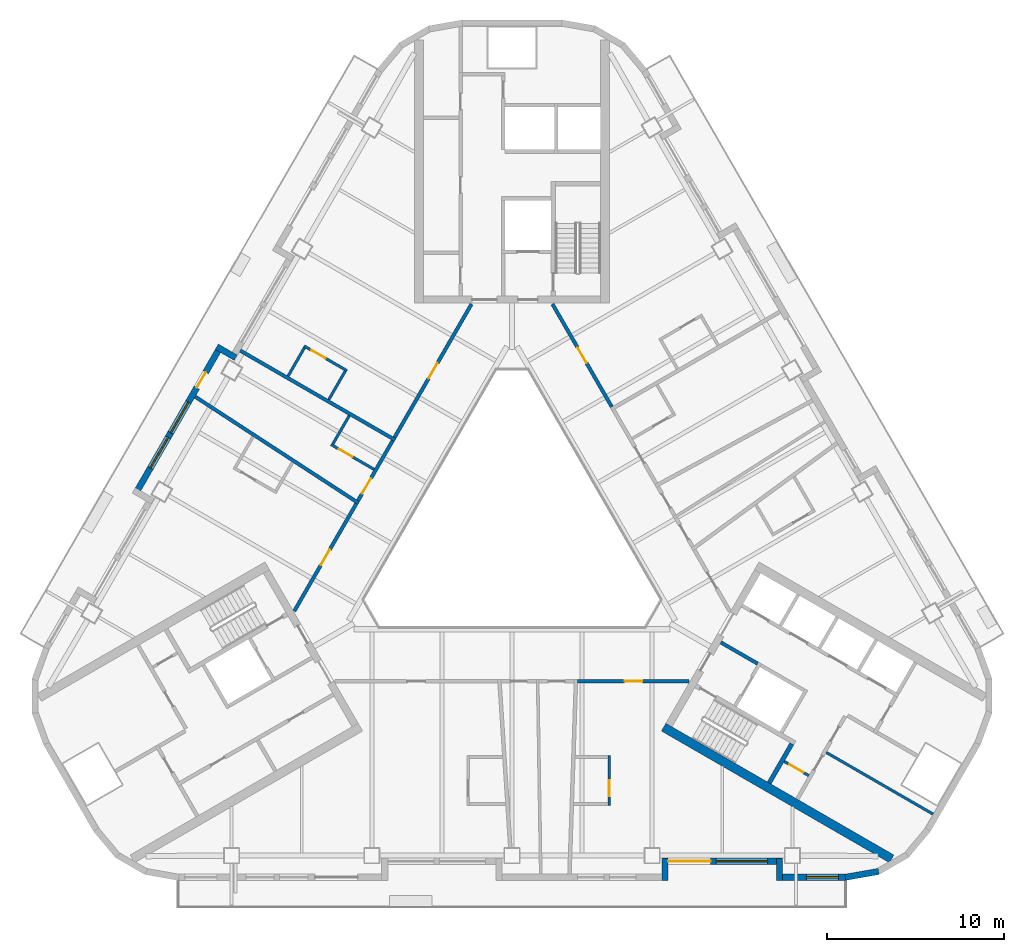
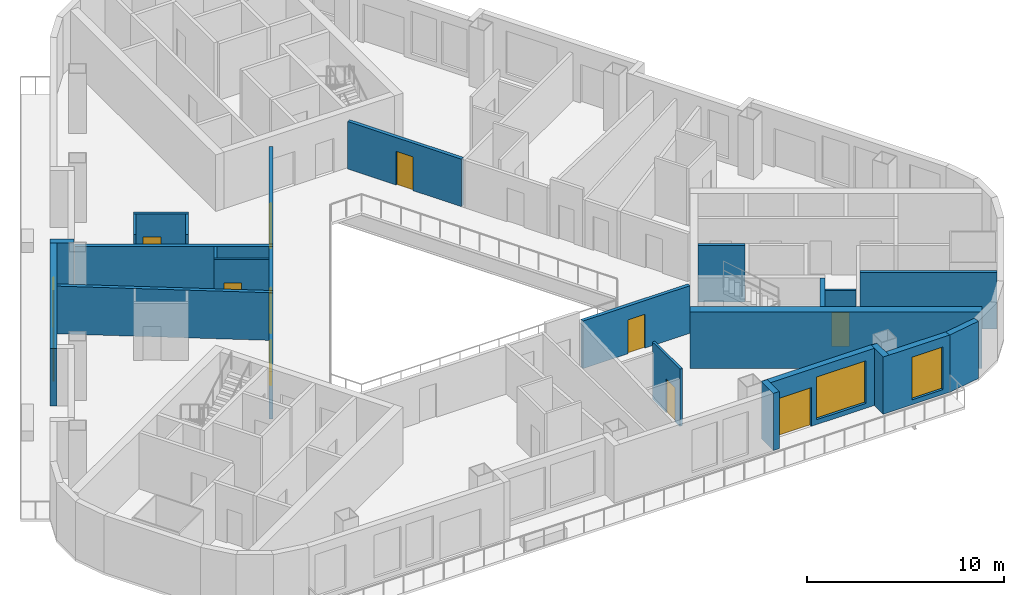
# One storey, part 4 of 14: 25 walls, 11 doors, 4 windows, 15 openings.
"""IFC4 building model written with IfcOpenShell, lengths in metres."""

from ifc_helpers import new_model, si_unit, direction, frame, frame_2d, origin, place, context, subcontext, project, spatial, rectangle, extrude, material, layer, layer_set, type_object, element, fill, save


model = new_model("IFC4")

# Units and contexts
model_context = context("Model", 3, precision=1e-05, world=origin(), true_north=direction((0.0, 1.0)))
body_context = subcontext(model_context, "Body", "Model", "MODEL_VIEW")
ifc_project = project(units=[si_unit("LENGTHUNIT", "METRE"), si_unit("AREAUNIT", "SQUARE_METRE"), si_unit("VOLUMEUNIT", "CUBIC_METRE"), si_unit("PLANEANGLEUNIT", "RADIAN"), si_unit("MASSUNIT", "GRAM", prefix="KILO")], contexts=[model_context])

# Site, building, storey
site_placement = place(None, origin())
site = spatial("IfcSite", under=ifc_project, at=site_placement, CompositionType="ELEMENT")
building_placement = place(site_placement, origin())
building = spatial("IfcBuilding", under=site, at=building_placement, Name="Apuvela Tower Hotel", CompositionType="ELEMENT")
storey_placement = place(building_placement, frame((0.0, 0.0, 109.39990234375)))
storey = spatial("IfcBuildingStorey", under=building, at=storey_placement, Name="L25", CompositionType="ELEMENT", Elevation=109.39990234375)

# Wall
ifc_material_1 = material(Name="Concrete C50/60", Category="concrete")
ifc_layer_1 = layer(ifc_material_1, 0.5)
ifc_layer_set_1 = layer_set([ifc_layer_1], Name="COR-WALL-CORE-500")
wall_type_1 = type_object("IfcWallType", Name="COR-WALL-CORE-500", PredefinedType="SHEAR", material=ifc_layer_set_1)
wall_1_placement = place(storey_placement, frame((8.546630859375, -10.99658203125, 0.0), z_axis=(0.0, 0.0, 1.0), x_axis=(0.866025009528, -0.500000682871, 0.0)))
element("IfcWall", 1, at=wall_1_placement, inside=storey, type_object=wall_type_1, Name="Core wall SE", PredefinedType="SHEAR", context=body_context, shape_type="SweptSolid", body=[
    extrude(rectangle(XDim=14.8369140625, YDim=0.5, at=frame_2d((7.41845703125, 0.0))), origin(), (0.0, 0.0, 1.0), 3.5),
])

# Wall, opening, door
ifc_material_2 = material(Name="Blockwork 150 mm plastered", Category="masonry")
ifc_layer_2 = layer(ifc_material_2, 0.14990234375)
ifc_layer_set_2 = layer_set([ifc_layer_2], Name="COR-WALL-PART-150")
wall_type_2 = type_object("IfcWallType", Name="COR-WALL-PART-150", PredefinedType="PARTITIONING", material=ifc_layer_set_2)
wall_2_placement = place(storey_placement, frame((15.341552734375, -12.927734375, 0.0), z_axis=(0.0, 0.0, 1.0), x_axis=(0.865989903783, -0.500061482766, 0.0)))
wall_2 = element("IfcWall", 2, at=wall_2_placement, inside=storey, type_object=wall_type_2, Name="Partition SE", PredefinedType="PARTITIONING", context=body_context, shape_type="SweptSolid", body=[
    extrude(rectangle(XDim=1.599853515625, YDim=0.14990234375, at=frame_2d((0.7998046875, 0.0))), origin(), (0.0, 0.0, 1.0), 3.5),
])
opening_1_placement = place(wall_2_placement, frame((0.35009765625, 0.0, 0.0)))
opening_1 = element("IfcOpeningElement", 3, at=opening_1_placement, cuts=wall_2, Name="Opening E-RD", PredefinedType="OPENING", context=body_context, shape_type="SweptSolid", body=[
    extrude(rectangle(XDim=0.89990234375, YDim=2.10009765625, at=frame_2d((0.449951171875, 1.050048828125))), frame((0.0, 0.0849609375, 0.0), z_axis=(0.0, -1.0, 0.0), x_axis=(1.0, 0.0, 0.0)), (0.0, 0.0, 1.0), 0.169921875),
])
ifc_material_3 = material(Name="Steel access door, powder coated", Category="steel")
door_type_1 = type_object("IfcDoorType", Name="COR-RD-900", OperationType="NOTDEFINED", PredefinedType="DOOR", material=ifc_material_3)
door_1_placement = place(opening_1_placement, frame((0.89990234375, 0.0, 0.0), z_axis=(0.0, 0.0, 1.0), x_axis=(-1.0, 0.0, 0.0)))
door_1 = element("IfcDoor", 4, at=door_1_placement, inside=storey, type_object=door_type_1, Name="Riser door E-RD", OperationType="SINGLE_SWING_LEFT", OverallHeight=2.10009765625, OverallWidth=0.89990234375, PredefinedType="DOOR", context=body_context, shape_type="SweptSolid", body=[
    extrude(rectangle(XDim=0.89990234375, YDim=2.10009765625, at=frame_2d((0.449951171875, 1.050048828125))), frame((0.0, 0.02490234375, 0.0), z_axis=(0.0, -1.0, 0.0), x_axis=(1.0, 0.0, 0.0)), (0.0, 0.0, 1.0), 0.050048828125),
])
fill(opening_1, door_1)

# Walls
wall_3_placement = place(storey_placement, frame((17.712890625, -12.42041015625, 0.0), z_axis=(0.0, 0.0, 1.0), x_axis=(0.866016523273, -0.500015381182, 0.0)))
element("IfcWall", 5, at=wall_3_placement, inside=storey, type_object=wall_type_2, Name="Partition SE", PredefinedType="PARTITIONING", context=body_context, shape_type="SweptSolid", body=[
    extrude(rectangle(XDim=6.949951171875, YDim=0.14990234375, at=frame_2d((3.47509765625, 0.0))), origin(), (0.0, 0.0, 1.0), 3.5),
])
ifc_layer_3 = layer(ifc_material_1, 0.199951171875)
ifc_layer_set_3 = layer_set([ifc_layer_3], Name="COR-WALL-SHAFT-200")
wall_type_3 = type_object("IfcWallType", Name="COR-WALL-SHAFT-200", PredefinedType="SHEAR", material=ifc_layer_set_3)
wall_4_placement = place(storey_placement, frame((11.76806640625, -6.217041015625, 0.0), z_axis=(0.0, 0.0, 1.0), x_axis=(0.866050077142, -0.499957262057, 0.0)))
element("IfcWall", 6, at=wall_4_placement, inside=storey, type_object=wall_type_3, Name="Shaft wall SE", PredefinedType="SHEAR", context=body_context, shape_type="SweptSolid", body=[
    extrude(rectangle(XDim=2.400146484375, YDim=0.199951171875, at=frame_2d((1.2001953125, 0.0))), origin(), (0.0, 0.0, 1.0), 3.5),
])
ifc_layer_4 = layer(ifc_material_1, 0.25)
ifc_layer_set_4 = layer_set([ifc_layer_4], Name="COR-WALL-STAIR-250")
wall_type_4 = type_object("IfcWallType", Name="COR-WALL-STAIR-250", PredefinedType="SHEAR", material=ifc_layer_set_4)
wall_5_placement = place(storey_placement, frame((14.49560546875, -14.142578125, 0.0), z_axis=(0.0, 0.0, 1.0), x_axis=(0.500062241894, 0.865989465428, 0.0)))
element("IfcWall", 7, at=wall_5_placement, inside=storey, type_object=wall_type_4, Name="Stair wall SE", PredefinedType="SHEAR", context=body_context, shape_type="SweptSolid", body=[
    extrude(rectangle(XDim=2.550048828125, YDim=0.25, at=frame_2d((1.27490234375, 0.0))), origin(), (0.0, 0.0, 1.0), 3.5),
])
ifc_material_4 = material(Name="Concrete C40/50, dark pigmented precast panel", Category="concrete")
ifc_layer_5 = layer(ifc_material_4, 0.35009765625)
ifc_layer_set_5 = layer_set([ifc_layer_5], Name="ENV-WALL-350")
wall_type_5 = type_object("IfcWallType", Name="ENV-WALL-350", PredefinedType="SOLIDWALL", material=ifc_layer_set_5)
wall_6_placement = place(storey_placement, frame((-15.580810546875, 9.8330078125, 0.0), z_axis=(0.0, 0.0, 1.0), x_axis=(-0.866055662726, 0.499947586314, 0.0)))
element("IfcWall", 8, at=wall_6_placement, inside=storey, type_object=wall_type_5, Name="External wall L25-04", PredefinedType="SOLIDWALL", context=body_context, shape_type="SweptSolid", body=[
    extrude(rectangle(XDim=1.220458984375, YDim=0.35009765625, at=frame_2d((0.6103515625, 0.0))), origin(), (0.0, 0.0, 1.0), 3.550048828125),
])

# Wall, openings, door, windows
wall_7_placement = place(storey_placement, frame((-16.3984375, 10.507080078125, 0.0), z_axis=(0.0, 0.0, 1.0), x_axis=(-0.499999142773, -0.866025898704, 0.0)))
wall_7 = element("IfcWall", 9, at=wall_7_placement, inside=storey, type_object=wall_type_5, Name="External wall L25-05", PredefinedType="SOLIDWALL", context=body_context, shape_type="SweptSolid", body=[
    extrude(rectangle(XDim=9.7001953125, YDim=0.35009765625, at=frame_2d((4.85009765625, 0.0))), origin(), (0.0, 0.0, 1.0), 3.550048828125),
])
opening_2_placement = place(wall_7_placement, frame((1.7353515625, 0.0, 0.0)))
opening_2 = element("IfcOpeningElement", 10, at=opening_2_placement, cuts=wall_7, Name="Opening BD10", PredefinedType="OPENING", context=body_context, shape_type="SweptSolid", body=[
    extrude(rectangle(XDim=1.0, YDim=2.39990234375, at=frame_2d((0.5, 1.199951171875))), frame((0.0, 0.18505859375, 0.0), z_axis=(0.0, -1.0, 0.0), x_axis=(1.0, 0.0, 0.0)), (0.0, 0.0, 1.0), 0.3701171875),
])
opening_3_placement = place(wall_7_placement, frame((3.67041015625, 0.0, 0.300048828125)))
opening_3 = element("IfcOpeningElement", 11, at=opening_3_placement, cuts=wall_7, Name="Opening WN20", PredefinedType="OPENING", context=body_context, shape_type="SweptSolid", body=[
    extrude(rectangle(XDim=2.0, YDim=2.64990234375, at=frame_2d((1.0, 1.324951171875))), frame((0.0, 0.18505859375, 0.0), z_axis=(0.0, -1.0, 0.0), x_axis=(1.0, 0.0, 0.0)), (0.0, 0.0, 1.0), 0.3701171875),
])
opening_4_placement = place(wall_7_placement, frame((5.970458984375, 0.0, 0.300048828125)))
opening_4 = element("IfcOpeningElement", 12, at=opening_4_placement, cuts=wall_7, Name="Opening WN20", PredefinedType="OPENING", context=body_context, shape_type="SweptSolid", body=[
    extrude(rectangle(XDim=2.0, YDim=2.64990234375, at=frame_2d((1.0, 1.324951171875))), frame((0.0, 0.18505859375, 0.0), z_axis=(0.0, -1.0, 0.0), x_axis=(1.0, 0.0, 0.0)), (0.0, 0.0, 1.0), 0.3701171875),
])
ifc_material_5 = material(Name="Aluminium 6063-T6, dark bronze anodised frame with dark tinted laminated glass", Category="aluminium")
door_type_2 = type_object("IfcDoorType", Name="ENV-DOOR-BALCONY-1000x2400", OperationType="SLIDING_TO_LEFT", PredefinedType="DOOR", material=ifc_material_5)
door_2_placement = place(opening_2_placement, frame((1.0, 0.0, 0.0), z_axis=(0.0, 0.0, 1.0), x_axis=(-1.0, 0.0, 0.0)))
door_2 = element("IfcDoor", 13, at=door_2_placement, inside=storey, type_object=door_type_2, Name="Balcony door BD10", OperationType="SLIDING_TO_LEFT", OverallHeight=2.39990234375, OverallWidth=1.0, PredefinedType="DOOR", context=body_context, shape_type="SweptSolid", body=[
    extrude(rectangle(XDim=1.0, YDim=2.39990234375, at=frame_2d((0.5, 1.199951171875))), frame((0.0, 0.02490234375, 0.0), z_axis=(0.0, -1.0, 0.0), x_axis=(1.0, 0.0, 0.0)), (0.0, 0.0, 1.0), 0.050048828125),
])
fill(opening_2, door_2)
ifc_material_6 = material(Name="Glass, dark tinted laminated insulated glazing unit", Category="glass")
window_type_1 = type_object("IfcWindowType", Name="ENV-WIN-2000x2650", PartitioningType="SINGLE_PANEL", PredefinedType="WINDOW", material=ifc_material_6)
window_1_placement = place(opening_3_placement, origin())
window_1 = element("IfcWindow", 14, at=window_1_placement, inside=storey, type_object=window_type_1, Name="Window WN20", OverallHeight=2.64990234375, OverallWidth=2.0, PartitioningType="SINGLE_PANEL", PredefinedType="WINDOW", context=body_context, shape_type="SweptSolid", body=[
    extrude(rectangle(XDim=2.0, YDim=2.64990234375, at=frame_2d((1.0, 1.324951171875))), frame((0.0, 0.030029296875, 0.0), z_axis=(0.0, -1.0, 0.0), x_axis=(1.0, 0.0, 0.0)), (0.0, 0.0, 1.0), 0.06005859375),
])
fill(opening_3, window_1)
window_2_placement = place(opening_4_placement, origin())
window_2 = element("IfcWindow", 15, at=window_2_placement, inside=storey, type_object=window_type_1, Name="Window WN20", OverallHeight=2.64990234375, OverallWidth=2.0, PartitioningType="SINGLE_PANEL", PredefinedType="WINDOW", context=body_context, shape_type="SweptSolid", body=[
    extrude(rectangle(XDim=2.0, YDim=2.64990234375, at=frame_2d((1.0, 1.324951171875))), frame((0.0, 0.030029296875, 0.0), z_axis=(0.0, -1.0, 0.0), x_axis=(1.0, 0.0, 0.0)), (0.0, 0.0, 1.0), 0.06005859375),
])
fill(opening_4, window_2)

# Wall
wall_8_placement = place(storey_placement, frame((8.625, -19.6298828125, 0.0), z_axis=(0.0, 0.0, 1.0), x_axis=(0.0, 1.0, 0.0)))
element("IfcWall", 16, at=wall_8_placement, inside=storey, type_object=wall_type_5, Name="External wall L25-22", PredefinedType="SOLIDWALL", context=body_context, shape_type="SweptSolid", body=[
    extrude(rectangle(XDim=1.219970703125, YDim=0.35009765625, at=frame_2d((0.60986328125, 0.0))), origin(), (0.0, 0.0, 1.0), 3.550048828125),
])

# Wall, openings, door, window
wall_9_placement = place(storey_placement, frame((8.47998046875, -18.554931640625, 0.0), z_axis=(0.0, 0.0, 1.0), x_axis=(1.0, 0.0, 0.0)))
wall_9 = element("IfcWall", 17, at=wall_9_placement, inside=storey, type_object=wall_type_5, Name="External wall L25-23", PredefinedType="SOLIDWALL", context=body_context, shape_type="SweptSolid", body=[
    extrude(rectangle(XDim=6.739990234375, YDim=0.35009765625, at=frame_2d((3.3701171875, 0.0))), origin(), (0.0, 0.0, 1.0), 3.550048828125),
])
opening_5_placement = place(wall_9_placement, frame((0.3203125, 0.0, 0.0)))
opening_5 = element("IfcOpeningElement", 18, at=opening_5_placement, cuts=wall_9, Name="Opening BD24", PredefinedType="OPENING", context=body_context, shape_type="SweptSolid", body=[
    extrude(rectangle(XDim=2.39990234375, YDim=2.39990234375, at=frame_2d((1.199951171875, 1.199951171875))), frame((0.0, 0.18505859375, 0.0), z_axis=(0.0, -1.0, 0.0), x_axis=(1.0, 0.0, 0.0)), (0.0, 0.0, 1.0), 0.3701171875),
])
opening_6_placement = place(wall_9_placement, frame((3.020263671875, 0.0, 0.300048828125)))
opening_6 = element("IfcOpeningElement", 19, at=opening_6_placement, cuts=wall_9, Name="Opening WN29", PredefinedType="OPENING", context=body_context, shape_type="SweptSolid", body=[
    extrude(rectangle(XDim=2.89990234375, YDim=2.64990234375, at=frame_2d((1.449951171875, 1.324951171875))), frame((0.0, 0.18505859375, 0.0), z_axis=(0.0, -1.0, 0.0), x_axis=(1.0, 0.0, 0.0)), (0.0, 0.0, 1.0), 0.3701171875),
])
door_type_3 = type_object("IfcDoorType", Name="ENV-DOOR-BALCONY-2400x2400", OperationType="SLIDING_TO_LEFT", PredefinedType="DOOR", material=ifc_material_5)
door_3_placement = place(opening_5_placement, frame((2.39990234375, 0.0, 0.0), z_axis=(0.0, 0.0, 1.0), x_axis=(-1.0, 0.0, 0.0)))
door_3 = element("IfcDoor", 20, at=door_3_placement, inside=storey, type_object=door_type_3, Name="Balcony door BD24", OperationType="SLIDING_TO_LEFT", OverallHeight=2.39990234375, OverallWidth=2.39990234375, PredefinedType="DOOR", context=body_context, shape_type="SweptSolid", body=[
    extrude(rectangle(XDim=2.39990234375, YDim=2.39990234375, at=frame_2d((1.199951171875, 1.199951171875))), frame((0.0, 0.02490234375, 0.0), z_axis=(0.0, -1.0, 0.0), x_axis=(1.0, 0.0, 0.0)), (0.0, 0.0, 1.0), 0.050048828125),
])
fill(opening_5, door_3)
window_type_2 = type_object("IfcWindowType", Name="ENV-WIN-2900x2650", PartitioningType="SINGLE_PANEL", PredefinedType="WINDOW", material=ifc_material_6)
window_3_placement = place(opening_6_placement, origin())
window_3 = element("IfcWindow", 21, at=window_3_placement, inside=storey, type_object=window_type_2, Name="Window WN29", OverallHeight=2.64990234375, OverallWidth=2.89990234375, PartitioningType="SINGLE_PANEL", PredefinedType="WINDOW", context=body_context, shape_type="SweptSolid", body=[
    extrude(rectangle(XDim=2.89990234375, YDim=2.64990234375, at=frame_2d((1.449951171875, 1.324951171875))), frame((0.0, 0.030029296875, 0.0), z_axis=(0.0, -1.0, 0.0), x_axis=(1.0, 0.0, 0.0)), (0.0, 0.0, 1.0), 0.06005859375),
])
fill(opening_6, window_3)

# Wall
wall_10_placement = place(storey_placement, frame((15.074951171875, -18.409912109375, 0.0), z_axis=(0.0, 0.0, 1.0), x_axis=(0.0, -1.0, 0.0)))
element("IfcWall", 22, at=wall_10_placement, inside=storey, type_object=wall_type_5, Name="External wall L25-24", PredefinedType="SOLIDWALL", context=body_context, shape_type="SweptSolid", body=[
    extrude(rectangle(XDim=1.219970703125, YDim=0.35009765625, at=frame_2d((0.60986328125, 0.0))), origin(), (0.0, 0.0, 1.0), 3.550048828125),
])

# Wall, opening, window
wall_11_placement = place(storey_placement, frame((14.89990234375, -19.455078125, 0.0), z_axis=(0.0, 0.0, 1.0), x_axis=(1.0, 0.0, 0.0)))
wall_11 = element("IfcWall", 23, at=wall_11_placement, inside=storey, type_object=wall_type_5, Name="External wall L25-25", PredefinedType="SOLIDWALL", context=body_context, shape_type="SweptSolid", body=[
    extrude(rectangle(XDim=3.916015625, YDim=0.35009765625, at=frame_2d((1.9580078125, 0.0))), origin(), (0.0, 0.0, 1.0), 3.550048828125),
])
opening_7_placement = place(wall_11_placement, frame((1.699951171875, 0.0, 0.300048828125)))
opening_7 = element("IfcOpeningElement", 24, at=opening_7_placement, cuts=wall_11, Name="Opening WN18", PredefinedType="OPENING", context=body_context, shape_type="SweptSolid", body=[
    extrude(rectangle(XDim=1.800048828125, YDim=2.64990234375, at=frame_2d((0.89990234375, 1.324951171875))), frame((0.0, 0.18505859375, 0.0), z_axis=(0.0, -1.0, 0.0), x_axis=(1.0, 0.0, 0.0)), (0.0, 0.0, 1.0), 0.3701171875),
])
window_type_3 = type_object("IfcWindowType", Name="ENV-WIN-1800x2650", PartitioningType="SINGLE_PANEL", PredefinedType="WINDOW", material=ifc_material_6)
window_4_placement = place(opening_7_placement, origin())
window_4 = element("IfcWindow", 25, at=window_4_placement, inside=storey, type_object=window_type_3, Name="Window WN18", OverallHeight=2.64990234375, OverallWidth=1.800048828125, PartitioningType="SINGLE_PANEL", PredefinedType="WINDOW", context=body_context, shape_type="SweptSolid", body=[
    extrude(rectangle(XDim=1.800048828125, YDim=2.64990234375, at=frame_2d((0.89990234375, 1.324951171875))), frame((0.0, 0.030029296875, 0.0), z_axis=(0.0, -1.0, 0.0), x_axis=(1.0, 0.0, 0.0)), (0.0, 0.0, 1.0), 0.06005859375),
])
fill(opening_7, window_4)

# Walls
wall_12_placement = place(storey_placement, frame((18.785400390625, -19.457763671875, 0.0), z_axis=(0.0, 0.0, 1.0), x_axis=(0.984798995425, 0.173697837091, 0.0)))
element("IfcWall", 26, at=wall_12_placement, inside=storey, type_object=wall_type_5, Name="External wall L25-26", PredefinedType="SOLIDWALL", context=body_context, shape_type="SweptSolid", body=[
    extrude(rectangle(XDim=1.91015625, YDim=0.35009765625, at=frame_2d((0.955078125, 0.0))), origin(), (0.0, 0.0, 1.0), 3.550048828125),
])
ifc_material_7 = material(Name="Gypsum board partition on twin steel stud", Category="steel")
ifc_layer_6 = layer(ifc_material_7, 0.199951171875)
ifc_layer_set_6 = layer_set([ifc_layer_6], Name="GST-PW1")
wall_type_6 = type_object("IfcWallType", Name="GST-PW1", PredefinedType="PARTITIONING", material=ifc_layer_set_6)
wall_13_placement = place(storey_placement, frame((-15.3173828125, 10.229248046875, 0.0), z_axis=(0.0, 0.0, 1.0), x_axis=(0.866022637375, -0.500004791531, 0.0)))
element("IfcWall", 27, at=wall_13_placement, inside=storey, type_object=wall_type_6, Name="L25 partition 06", PredefinedType="PARTITIONING", context=body_context, shape_type="SweptSolid", body=[
    extrude(rectangle(XDim=10.080078125, YDim=0.199951171875, at=frame_2d((5.0400390625, 0.0))), origin(), (0.0, 0.0, 1.0), 2.960205078125),
])
wall_14_placement = place(storey_placement, frame((-17.85693359375, 7.630859375, 0.0), z_axis=(0.0, 0.0, 1.0), x_axis=(0.837909060234, -0.545809863211, 0.0)))
element("IfcWall", 28, at=wall_14_placement, inside=storey, type_object=wall_type_6, Name="L25 partition 07", PredefinedType="PARTITIONING", context=body_context, shape_type="SweptSolid", body=[
    extrude(rectangle(XDim=10.995849609375, YDim=0.199951171875, at=frame_2d((5.498046875, 0.0))), origin(), (0.0, 0.0, 1.0), 2.960205078125),
])

# Wall, opening, door
ifc_material_8 = material(Name="Gypsum board corridor wall on twin steel stud, acoustic", Category="steel")
ifc_layer_7 = layer(ifc_material_8, 0.199951171875)
ifc_layer_set_7 = layer_set([ifc_layer_7], Name="GST-PW2")
wall_type_7 = type_object("IfcWallType", Name="GST-PW2", PredefinedType="PARTITIONING", material=ifc_layer_set_7)
wall_15_placement = place(storey_placement, frame((9.98828125, -8.39990234375, 0.0), z_axis=(0.0, 0.0, 1.0), x_axis=(-1.0, 0.0, 0.0)))
wall_15 = element("IfcWall", 29, at=wall_15_placement, inside=storey, type_object=wall_type_7, Name="L25 partition 15", PredefinedType="PARTITIONING", context=body_context, shape_type="SweptSolid", body=[
    extrude(rectangle(XDim=6.284912109375, YDim=0.199951171875, at=frame_2d((3.142578125, 0.0))), origin(), (0.0, 0.0, 1.0), 2.9501953125),
])
opening_8_placement = place(wall_15_placement, frame((2.642333984375, 0.0, 0.0)))
opening_8 = element("IfcOpeningElement", 30, at=opening_8_placement, cuts=wall_15, Name="Opening GD09-06", PredefinedType="OPENING", context=body_context, shape_type="SweptSolid", body=[
    extrude(rectangle(XDim=1.0, YDim=2.10009765625, at=frame_2d((0.5, 1.050048828125))), frame((0.0, 0.10986328125, 0.0), z_axis=(0.0, -1.0, 0.0), x_axis=(1.0, 0.0, 0.0)), (0.0, 0.0, 1.0), 0.219970703125),
])
ifc_material_9 = material(Name="Timber door leaf in steel frame", Category="steel")
door_type_4 = type_object("IfcDoorType", Name="GST-D1", OperationType="NOTDEFINED", PredefinedType="DOOR", material=ifc_material_9)
door_4_placement = place(opening_8_placement, origin())
door_4 = element("IfcDoor", 31, at=door_4_placement, inside=storey, type_object=door_type_4, Name="Door L25-06", OperationType="SINGLE_SWING_RIGHT", OverallHeight=2.10009765625, OverallWidth=1.0, PredefinedType="DOOR", context=body_context, shape_type="SweptSolid", body=[
    extrude(rectangle(XDim=1.0, YDim=2.10009765625, at=frame_2d((0.5, 1.050048828125))), frame((0.0, 0.02490234375, 0.0), z_axis=(0.0, -1.0, 0.0), x_axis=(1.0, 0.0, 0.0)), (0.0, 0.0, 1.0), 0.050048828125),
])
fill(opening_8, door_4)

wall_16_placement = place(storey_placement, frame((2.280517578125, 12.85009765625, 0.0), z_axis=(0.0, 0.0, 1.0), x_axis=(0.499982611572, -0.866035442765, 0.0)))
wall_16 = element("IfcWall", 32, at=wall_16_placement, inside=storey, type_object=wall_type_7, Name="L25 partition 29", PredefinedType="PARTITIONING", context=body_context, shape_type="SweptSolid", body=[
    extrude(rectangle(XDim=6.688232421875, YDim=0.199951171875, at=frame_2d((3.34423828125, 0.0))), origin(), (0.0, 0.0, 1.0), 2.9501953125),
])
opening_9_placement = place(wall_16_placement, frame((2.843994140625, 0.0, 0.0)))
opening_9 = element("IfcOpeningElement", 33, at=opening_9_placement, cuts=wall_16, Name="Opening GD09-14", PredefinedType="OPENING", context=body_context, shape_type="SweptSolid", body=[
    extrude(rectangle(XDim=1.0, YDim=2.10009765625, at=frame_2d((0.5, 1.050048828125))), frame((0.0, 0.10986328125, 0.0), z_axis=(0.0, -1.0, 0.0), x_axis=(1.0, 0.0, 0.0)), (0.0, 0.0, 1.0), 0.219970703125),
])
door_5_placement = place(opening_9_placement, origin())
door_5 = element("IfcDoor", 34, at=door_5_placement, inside=storey, type_object=door_type_4, Name="Door L25-14", OperationType="SINGLE_SWING_RIGHT", OverallHeight=2.10009765625, OverallWidth=1.0, PredefinedType="DOOR", context=body_context, shape_type="SweptSolid", body=[
    extrude(rectangle(XDim=1.0, YDim=2.10009765625, at=frame_2d((0.5, 1.050048828125))), frame((0.0, 0.02490234375, 0.0), z_axis=(0.0, -1.0, 0.0), x_axis=(1.0, 0.0, 0.0)), (0.0, 0.0, 1.0), 0.050048828125),
])
fill(opening_9, door_5)

wall_17_placement = place(storey_placement, frame((-6.62451171875, 5.32568359375, 0.0), z_axis=(0.0, 0.0, 1.0), x_axis=(0.499980288617, 0.866036783858, 0.0)))
wall_17 = element("IfcWall", 35, at=wall_17_placement, inside=storey, type_object=wall_type_7, Name="L25 partition 33", PredefinedType="PARTITIONING", context=body_context, shape_type="SweptSolid", body=[
    extrude(rectangle(XDim=8.688232421875, YDim=0.199951171875, at=frame_2d((4.34423828125, 0.0))), origin(), (0.0, 0.0, 1.0), 2.9501953125),
])
opening_10_placement = place(wall_17_placement, frame((3.843994140625, 0.0, 0.0)))
opening_10 = element("IfcOpeningElement", 36, at=opening_10_placement, cuts=wall_17, Name="Opening GD09-16", PredefinedType="OPENING", context=body_context, shape_type="SweptSolid", body=[
    extrude(rectangle(XDim=1.0, YDim=2.10009765625, at=frame_2d((0.5, 1.050048828125))), frame((0.0, 0.10986328125, 0.0), z_axis=(0.0, -1.0, 0.0), x_axis=(1.0, 0.0, 0.0)), (0.0, 0.0, 1.0), 0.219970703125),
])
door_6_placement = place(opening_10_placement, origin())
door_6 = element("IfcDoor", 37, at=door_6_placement, inside=storey, type_object=door_type_4, Name="Door L25-16", OperationType="SINGLE_SWING_LEFT", OverallHeight=2.10009765625, OverallWidth=1.0, PredefinedType="DOOR", context=body_context, shape_type="SweptSolid", body=[
    extrude(rectangle(XDim=1.0, YDim=2.10009765625, at=frame_2d((0.5, 1.050048828125))), frame((0.0, 0.02490234375, 0.0), z_axis=(0.0, -1.0, 0.0), x_axis=(1.0, 0.0, 0.0)), (0.0, 0.0, 1.0), 0.050048828125),
])
fill(opening_10, door_6)

wall_18_placement = place(storey_placement, frame((-8.67724609375, 1.7705078125, 0.0), z_axis=(0.0, 0.0, 1.0), x_axis=(0.499998439657, 0.866026304647, 0.0)))
wall_18 = element("IfcWall", 38, at=wall_18_placement, inside=storey, type_object=wall_type_7, Name="L25 partition 37", PredefinedType="PARTITIONING", context=body_context, shape_type="SweptSolid", body=[
    extrude(rectangle(XDim=3.9052734375, YDim=0.199951171875, at=frame_2d((1.95263671875, 0.0))), origin(), (0.0, 0.0, 1.0), 2.9501953125),
])
opening_11_placement = place(wall_18_placement, frame((0.455078125, 0.0, 0.0)))
opening_11 = element("IfcOpeningElement", 39, at=opening_11_placement, cuts=wall_18, Name="Opening GD09-18", PredefinedType="OPENING", context=body_context, shape_type="SweptSolid", body=[
    extrude(rectangle(XDim=1.0, YDim=2.10009765625, at=frame_2d((0.5, 1.050048828125))), frame((0.0, 0.10986328125, 0.0), z_axis=(0.0, -1.0, 0.0), x_axis=(1.0, 0.0, 0.0)), (0.0, 0.0, 1.0), 0.219970703125),
])
door_7_placement = place(opening_11_placement, origin())
door_7 = element("IfcDoor", 40, at=door_7_placement, inside=storey, type_object=door_type_4, Name="Door L25-18", OperationType="SINGLE_SWING_LEFT", OverallHeight=2.10009765625, OverallWidth=1.0, PredefinedType="DOOR", context=body_context, shape_type="SweptSolid", body=[
    extrude(rectangle(XDim=1.0, YDim=2.10009765625, at=frame_2d((0.5, 1.050048828125))), frame((0.0, 0.02490234375, 0.0), z_axis=(0.0, -1.0, 0.0), x_axis=(1.0, 0.0, 0.0)), (0.0, 0.0, 1.0), 0.050048828125),
])
fill(opening_11, door_7)

wall_19_placement = place(storey_placement, frame((-12.268798828125, -4.449951171875, 0.0), z_axis=(0.0, 0.0, 1.0), x_axis=(0.500016026819, 0.866016150498, 0.0)))
wall_19 = element("IfcWall", 41, at=wall_19_placement, inside=storey, type_object=wall_type_7, Name="L25 partition 40", PredefinedType="PARTITIONING", context=body_context, shape_type="SweptSolid", body=[
    extrude(rectangle(XDim=6.982666015625, YDim=0.199951171875, at=frame_2d((3.4912109375, 0.0))), origin(), (0.0, 0.0, 1.0), 2.9501953125),
])
opening_12_placement = place(wall_19_placement, frame((2.9912109375, 0.0, 0.0)))
opening_12 = element("IfcOpeningElement", 42, at=opening_12_placement, cuts=wall_19, Name="Opening GD09-20", PredefinedType="OPENING", context=body_context, shape_type="SweptSolid", body=[
    extrude(rectangle(XDim=1.0, YDim=2.10009765625, at=frame_2d((0.5, 1.050048828125))), frame((0.0, 0.10986328125, 0.0), z_axis=(0.0, -1.0, 0.0), x_axis=(1.0, 0.0, 0.0)), (0.0, 0.0, 1.0), 0.219970703125),
])
door_8_placement = place(opening_12_placement, origin())
door_8 = element("IfcDoor", 43, at=door_8_placement, inside=storey, type_object=door_type_4, Name="Door L25-20", OperationType="SINGLE_SWING_RIGHT", OverallHeight=2.10009765625, OverallWidth=1.0, PredefinedType="DOOR", context=body_context, shape_type="SweptSolid", body=[
    extrude(rectangle(XDim=1.0, YDim=2.10009765625, at=frame_2d((0.5, 1.050048828125))), frame((0.0, 0.02490234375, 0.0), z_axis=(0.0, -1.0, 0.0), x_axis=(1.0, 0.0, 0.0)), (0.0, 0.0, 1.0), 0.050048828125),
])
fill(opening_12, door_8)

ifc_material_10 = material(Name="Moisture-resistant gypsum board wet wall on steel stud", Category="steel")
ifc_layer_8 = layer(ifc_material_10, 0.14990234375)
ifc_layer_set_8 = layer_set([ifc_layer_8], Name="GST-PW3")
wall_type_8 = type_object("IfcWallType", Name="GST-PW3", PredefinedType="PARTITIONING", material=ifc_layer_set_8)
wall_20_placement = place(storey_placement, frame((5.488037109375, -15.39990234375, 0.0), z_axis=(0.0, 0.0, 1.0), x_axis=(0.0, 1.0, 0.0)))
wall_20 = element("IfcWall", 44, at=wall_20_placement, inside=storey, type_object=wall_type_8, Name="L25 partition 16", PredefinedType="PARTITIONING", context=body_context, shape_type="SweptSolid", body=[
    extrude(rectangle(XDim=2.7998046875, YDim=0.14990234375, at=frame_2d((1.39990234375, 0.0))), origin(), (0.0, 0.0, 1.0), 3.550048828125),
])
opening_13_placement = place(wall_20_placement, frame((0.5, 0.0, 0.0)))
opening_13 = element("IfcOpeningElement", 45, at=opening_13_placement, cuts=wall_20, Name="Opening GD09-05", PredefinedType="OPENING", context=body_context, shape_type="SweptSolid", body=[
    extrude(rectangle(XDim=0.89990234375, YDim=2.10009765625, at=frame_2d((0.449951171875, 1.050048828125))), frame((0.0, 0.0849609375, 0.0), z_axis=(0.0, -1.0, 0.0), x_axis=(1.0, 0.0, 0.0)), (0.0, 0.0, 1.0), 0.169921875),
])
door_type_5 = type_object("IfcDoorType", Name="GST-D2", OperationType="NOTDEFINED", PredefinedType="DOOR", material=ifc_material_9)
door_9_placement = place(opening_13_placement, origin())
door_9 = element("IfcDoor", 46, at=door_9_placement, inside=storey, type_object=door_type_5, Name="Door L25-05", OperationType="SINGLE_SWING_LEFT", OverallHeight=2.10009765625, OverallWidth=0.89990234375, PredefinedType="DOOR", context=body_context, shape_type="SweptSolid", body=[
    extrude(rectangle(XDim=0.89990234375, YDim=2.10009765625, at=frame_2d((0.449951171875, 1.050048828125))), frame((0.0, 0.02490234375, 0.0), z_axis=(0.0, -1.0, 0.0), x_axis=(1.0, 0.0, 0.0)), (0.0, 0.0, 1.0), 0.050048828125),
])
fill(opening_13, door_9)

wall_21_placement = place(storey_placement, frame((-9.29931640625, 9.093017578125, 0.0), z_axis=(0.0, 0.0, 1.0), x_axis=(-0.866056369097, 0.49994636267, 0.0)))
wall_21 = element("IfcWall", 47, at=wall_21_placement, inside=storey, type_object=wall_type_8, Name="L25 partition 34", PredefinedType="PARTITIONING", context=body_context, shape_type="SweptSolid", body=[
    extrude(rectangle(XDim=2.800048828125, YDim=0.14990234375, at=frame_2d((1.39990234375, 0.0))), origin(), (0.0, 0.0, 1.0), 3.550048828125),
])
opening_14_placement = place(wall_21_placement, frame((1.39990234375, 0.0, 0.0)))
opening_14 = element("IfcOpeningElement", 48, at=opening_14_placement, cuts=wall_21, Name="Opening GD09-15", PredefinedType="OPENING", context=body_context, shape_type="SweptSolid", body=[
    extrude(rectangle(XDim=0.89990234375, YDim=2.10009765625, at=frame_2d((0.449951171875, 1.050048828125))), frame((0.0, 0.0849609375, 0.0), z_axis=(0.0, -1.0, 0.0), x_axis=(1.0, 0.0, 0.0)), (0.0, 0.0, 1.0), 0.169921875),
])
door_10_placement = place(opening_14_placement, origin())
door_10 = element("IfcDoor", 49, at=door_10_placement, inside=storey, type_object=door_type_5, Name="Door L25-15", OperationType="SINGLE_SWING_RIGHT", OverallHeight=2.10009765625, OverallWidth=0.89990234375, PredefinedType="DOOR", context=body_context, shape_type="SweptSolid", body=[
    extrude(rectangle(XDim=0.89990234375, YDim=2.10009765625, at=frame_2d((0.449951171875, 1.050048828125))), frame((0.0, 0.02490234375, 0.0), z_axis=(0.0, -1.0, 0.0), x_axis=(1.0, 0.0, 0.0)), (0.0, 0.0, 1.0), 0.050048828125),
])
fill(opening_14, door_10)

# Walls
for number, where, z_axis, x_axis, name in (
    (50, (-11.69677734375, 10.390380859375, 0.0), (0.0, 0.0, 1.0), (-0.500042316284, -0.866000971088, 0.0), "L25 partition 35"),
    (51, (-9.40185546875, 9.0654296875, 0.0), (0.0, 0.0, 1.0), (-0.500042316284, -0.866000971088, 0.0), "L25 partition 36"),
):
    element("IfcWall", number, at=place(storey_placement, frame(where, z_axis=z_axis, x_axis=x_axis)), inside=storey, type_object=wall_type_8, Name=name, PredefinedType="PARTITIONING", context=body_context, shape_type="SweptSolid", body=[
        extrude(rectangle(XDim=1.849853515625, YDim=0.14990234375, at=frame_2d((0.9248046875, 0.0))), origin(), (0.0, 0.0, 1.0), 3.550048828125),
    ])

# Wall, opening, door
wall_22_placement = place(storey_placement, frame((-10.198486328125, 4.935546875, 0.0), z_axis=(0.0, 0.0, 1.0), x_axis=(0.865996816683, -0.500049511043, 0.0)))
wall_22 = element("IfcWall", 52, at=wall_22_placement, inside=storey, type_object=wall_type_8, Name="L25 partition 38", PredefinedType="PARTITIONING", context=body_context, shape_type="SweptSolid", body=[
    extrude(rectangle(XDim=2.800048828125, YDim=0.14990234375, at=frame_2d((1.39990234375, 0.0))), origin(), (0.0, 0.0, 1.0), 3.550048828125),
])
opening_15_placement = place(wall_22_placement, frame((0.5, 0.0, 0.0)))
opening_15 = element("IfcOpeningElement", 53, at=opening_15_placement, cuts=wall_22, Name="Opening GD09-17", PredefinedType="OPENING", context=body_context, shape_type="SweptSolid", body=[
    extrude(rectangle(XDim=0.89990234375, YDim=2.10009765625, at=frame_2d((0.449951171875, 1.050048828125))), frame((0.0, 0.0849609375, 0.0), z_axis=(0.0, -1.0, 0.0), x_axis=(1.0, 0.0, 0.0)), (0.0, 0.0, 1.0), 0.169921875),
])
door_11_placement = place(opening_15_placement, origin())
door_11 = element("IfcDoor", 54, at=door_11_placement, inside=storey, type_object=door_type_5, Name="Door L25-17", OperationType="SINGLE_SWING_LEFT", OverallHeight=2.10009765625, OverallWidth=0.89990234375, PredefinedType="DOOR", context=body_context, shape_type="SweptSolid", body=[
    extrude(rectangle(XDim=0.89990234375, YDim=2.10009765625, at=frame_2d((0.449951171875, 1.050048828125))), frame((0.0, 0.02490234375, 0.0), z_axis=(0.0, -1.0, 0.0), x_axis=(1.0, 0.0, 0.0)), (0.0, 0.0, 1.0), 0.050048828125),
])
fill(opening_15, door_11)

# Wall
wall_23_placement = place(storey_placement, frame((-9.171142578125, 6.565185546875, 0.0), z_axis=(0.0, 0.0, 1.0), x_axis=(-0.499985172903, -0.866033964044, 0.0)))
element("IfcWall", 55, at=wall_23_placement, inside=storey, type_object=wall_type_8, Name="L25 partition 39", PredefinedType="PARTITIONING", context=body_context, shape_type="SweptSolid", body=[
    extrude(rectangle(XDim=1.85009765625, YDim=0.14990234375, at=frame_2d((0.925048828125, 0.0))), origin(), (0.0, 0.0, 1.0), 2.9501953125),
])

save(model, "model.ifc")
